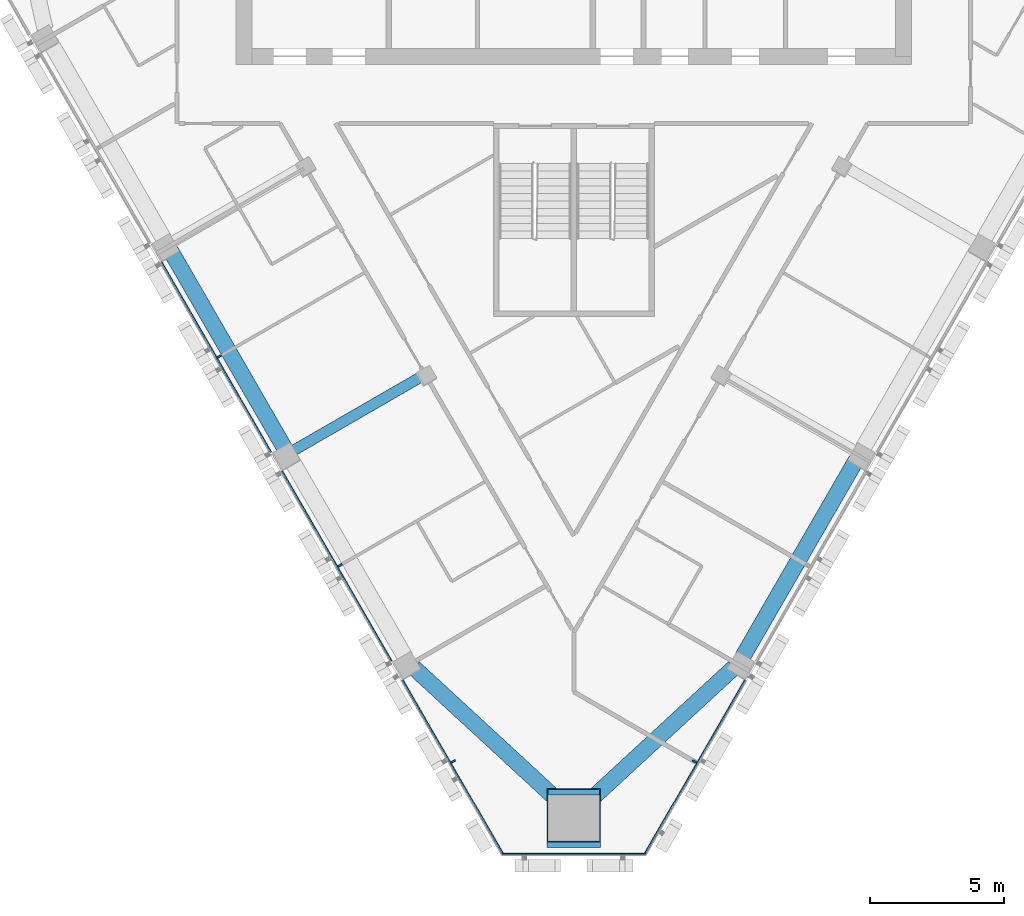
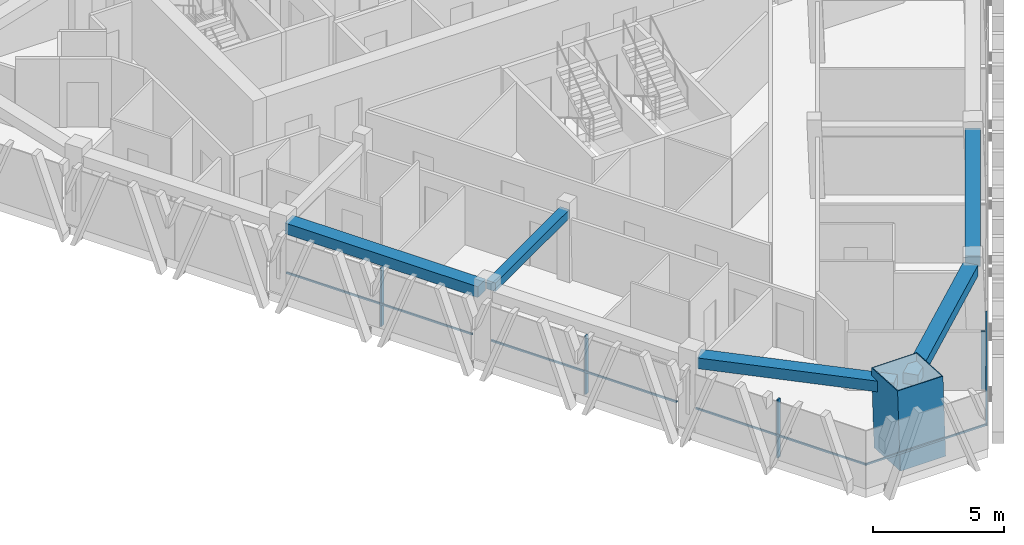
# One storey, part 2 of 14: 10 members, 5 beams, 3 elements without a shape of their own.
"""IFC4 building model written with IfcOpenShell, lengths in metres."""

from ifc_helpers import new_model, si_unit, direction, frame, origin, origin_2d, place, context, subcontext, project, spatial, rectangle, hollow_rectangle, extrude, material, layer, layer_set, material_profile, profile_set, type_object, element, aggregate, save


model = new_model("IFC4")

# Units and contexts
model_context = context("Model", 3, precision=1e-05, world=origin(), true_north=direction((0.0, 1.0)))
body_context = subcontext(model_context, "Body", "Model", "MODEL_VIEW")
ifc_project = project(units=[si_unit("LENGTHUNIT", "METRE"), si_unit("AREAUNIT", "SQUARE_METRE"), si_unit("VOLUMEUNIT", "CUBIC_METRE"), si_unit("PLANEANGLEUNIT", "RADIAN"), si_unit("MASSUNIT", "GRAM", prefix="KILO")], contexts=[model_context])

# Site, building, storey
site_placement = place(None, origin())
site = spatial("IfcSite", under=ifc_project, at=site_placement, CompositionType="ELEMENT")
building_placement = place(site_placement, origin())
building = spatial("IfcBuilding", under=site, at=building_placement, Name="Altiplano Prism Tower", CompositionType="ELEMENT")
storey_placement = place(building_placement, frame((0.0, 0.0, 242.800048828125)))
storey = spatial("IfcBuildingStorey", under=building, at=storey_placement, Name="L62", CompositionType="ELEMENT", Elevation=242.800048828125)

# Curtain wall, members
ifc_material_1 = material(Name="Aluminium and glass", Category="aluminium")
ifc_layer = layer(ifc_material_1, 0.280029296875)
ifc_layer_set = layer_set([ifc_layer], Name="Aluminium and glass")
curtain_wall_type = type_object("IfcCurtainWallType", Name="CW1 typical co-living unitised curtain wall", PredefinedType="NOTDEFINED", material=ifc_layer_set)
curtain_wall_1_placement = place(storey_placement, origin())
curtain_wall_1 = element("IfcCurtainWall", 1, at=curtain_wall_1_placement, inside=storey, type_object=curtain_wall_type, Name="CW1 curtain wall south-west face L62", PredefinedType="NOTDEFINED")
ifc_material_2 = material(Name="Aluminium", Category="aluminium")
ifc_material_profile_1 = material_profile(ifc_material_2, rectangle(XDim=0.179931640625, YDim=0.06494140625, at=origin_2d()), Name="CW1 mullion 65 x 180")
ifc_profile_set_1 = profile_set([ifc_material_profile_1], Name="Aluminium")
member_type_1 = type_object("IfcMemberType", Name="CW1 mullion 65 x 180", PredefinedType="MULLION", material=ifc_profile_set_1)
member_1_placement = place(storey_placement, frame((71.77294921875, 81.900146484375, 0.0), z_axis=(0.0, 0.0, 1.0), x_axis=(0.866025401638, 0.500000003718, 0.0)))
member_1 = element("IfcMember", 2, at=member_1_placement, type_object=member_type_1, Name="CW1 mullion", PredefinedType="MULLION", context=body_context, shape_type="SweptSolid", body=[
    extrude(rectangle(XDim=0.179931640625, YDim=0.06494140625, at=origin_2d()), origin(), (0.0, 0.0, 1.0), 2.699951171875),
])
member_2_placement = place(storey_placement, frame((76.27294921875, 74.10595703125, 0.0), z_axis=(0.0, 0.0, 1.0), x_axis=(0.866025401638, 0.500000003718, 0.0)))
member_2 = element("IfcMember", 3, at=member_2_placement, type_object=member_type_1, Name="CW1 mullion", PredefinedType="MULLION", context=body_context, shape_type="SweptSolid", body=[
    extrude(rectangle(XDim=0.179931640625, YDim=0.06494140625, at=origin_2d()), origin(), (0.0, 0.0, 1.0), 2.699951171875),
])
member_3_placement = place(storey_placement, frame((80.497314453125, 66.7890625, 0.0), z_axis=(0.0, 0.0, 1.0), x_axis=(0.866025401638, 0.500000003718, 0.0)))
member_3 = element("IfcMember", 4, at=member_3_placement, type_object=member_type_1, Name="CW1 mullion", PredefinedType="MULLION", context=body_context, shape_type="SweptSolid", body=[
    extrude(rectangle(XDim=0.179931640625, YDim=0.06494140625, at=origin_2d()), origin(), (0.0, 0.0, 1.0), 2.699951171875),
])

# Curtain wall, member
curtain_wall_2_placement = place(storey_placement, origin())
curtain_wall_2 = element("IfcCurtainWall", 5, at=curtain_wall_2_placement, inside=storey, type_object=curtain_wall_type, Name="CW1 curtain wall south-east face L62", PredefinedType="NOTDEFINED")
member_4_placement = place(storey_placement, frame((89.502685546875, 66.7890625, 0.0), z_axis=(0.0, 0.0, 1.0), x_axis=(-0.866025401638, 0.500000003718, 0.0)))
member_4 = element("IfcMember", 6, at=member_4_placement, type_object=member_type_1, Name="CW1 mullion", PredefinedType="MULLION", context=body_context, shape_type="SweptSolid", body=[
    extrude(rectangle(XDim=0.179931640625, YDim=0.06494140625, at=origin_2d()), origin(), (0.0, 0.0, 1.0), 2.699951171875),
])

# Member
ifc_material_profile_2 = material_profile(ifc_material_2, rectangle(XDim=0.06005859375, YDim=0.080078125, at=origin_2d()), Name="CW1 transom 80 x 60")
ifc_profile_set_2 = profile_set([ifc_material_profile_2], Name="Aluminium")
member_type_2 = type_object("IfcMemberType", Name="CW1 transom 80 x 60", PredefinedType="USERDEFINED", material=ifc_profile_set_2)
member_5_placement = place(storey_placement, frame((69.606689453125, 85.411865234375, 1.099853515625), z_axis=(0.500008722908, -0.866020367552, 0.0), x_axis=(0.866020367552, 0.500008722908, 0.0)))
member_5 = element("IfcMember", 7, at=member_5_placement, type_object=member_type_2, Name="CW1 transom", ObjectType="TRANSOM", PredefinedType="USERDEFINED", context=body_context, shape_type="SweptSolid", body=[
    extrude(rectangle(XDim=0.06005859375, YDim=0.080078125, at=origin_2d()), origin(), (0.0, 0.0, 1.0), 8.169677734375),
])

member_6_placement = place(storey_placement, frame((74.106689453125, 77.61767578125, 1.099853515625), z_axis=(0.500008722908, -0.866020367552, 0.0), x_axis=(0.866020367552, 0.500008722908, 0.0)))
member_6 = element("IfcMember", 8, at=member_6_placement, type_object=member_type_2, Name="CW1 transom", ObjectType="TRANSOM", PredefinedType="USERDEFINED", context=body_context, shape_type="SweptSolid", body=[
    extrude(rectangle(XDim=0.06005859375, YDim=0.080078125, at=origin_2d()), origin(), (0.0, 0.0, 1.0), 8.169677734375),
])

member_7_placement = place(storey_placement, frame((78.606689453125, 69.823486328125, 1.099853515625), z_axis=(0.500017465644, -0.866015319756, 0.0), x_axis=(0.866015319756, 0.500017465644, 0.0)))
member_7 = element("IfcMember", 9, at=member_7_placement, type_object=member_type_2, Name="CW1 transom", ObjectType="TRANSOM", PredefinedType="USERDEFINED", context=body_context, shape_type="SweptSolid", body=[
    extrude(rectangle(XDim=0.06005859375, YDim=0.080078125, at=origin_2d()), origin(), (0.0, 0.0, 1.0), 7.521728515625),
])

aggregate(curtain_wall_1, [member_1, member_5, member_2, member_6, member_3, member_7])

# Curtain wall, member
curtain_wall_3_placement = place(storey_placement, origin())
curtain_wall_3 = element("IfcCurtainWall", 10, at=curtain_wall_3_placement, inside=storey, type_object=curtain_wall_type, Name="CW1 curtain wall south chamfer L62", PredefinedType="NOTDEFINED")
member_8_placement = place(storey_placement, frame((82.306884765625, 63.3447265625, 1.099853515625), z_axis=(1.0, 0.0, 0.0), x_axis=(0.0, 1.0, 0.0)))
member_8 = element("IfcMember", 11, at=member_8_placement, type_object=member_type_2, Name="CW1 transom", ObjectType="TRANSOM", PredefinedType="USERDEFINED", context=body_context, shape_type="SweptSolid", body=[
    extrude(rectangle(XDim=0.06005859375, YDim=0.080078125, at=origin_2d()), origin(), (0.0, 0.0, 1.0), 5.38623046875),
])
aggregate(curtain_wall_3, [member_8])

# Member
member_9_placement = place(storey_placement, frame((87.63232421875, 63.3095703125, 1.099853515625), z_axis=(0.500017465644, 0.866015319756, 0.0), x_axis=(-0.866015319756, 0.500017465644, 0.0)))
member_9 = element("IfcMember", 12, at=member_9_placement, type_object=member_type_2, Name="CW1 transom", ObjectType="TRANSOM", PredefinedType="USERDEFINED", context=body_context, shape_type="SweptSolid", body=[
    extrude(rectangle(XDim=0.06005859375, YDim=0.080078125, at=origin_2d()), origin(), (0.0, 0.0, 1.0), 7.521728515625),
])

aggregate(curtain_wall_2, [member_4, member_9])

# Beams
ifc_material_3 = material(Name="Concrete C60/75", Category="concrete")
ifc_material_profile_3 = material_profile(ifc_material_3, rectangle(XDim=0.60009765625, YDim=0.5, at=origin_2d()), Name="Edge beam 600x500")
ifc_profile_set_3 = profile_set([ifc_material_profile_3], Name="Concrete C60/75")
beam_type_1 = type_object("IfcBeamType", Name="Edge beam 600x500", PredefinedType="SPANDREL", material=ifc_profile_set_3)
beam_1_placement = place(storey_placement, frame((69.95556640625, 85.844970703125, 2.949951171875), z_axis=(0.500011199594, -0.866018937599, 0.0), x_axis=(0.866018937599, 0.500011199594, 0.0)))
element("IfcBeam", 13, at=beam_1_placement, inside=storey, type_object=beam_type_1, Name="Edge beam P12-P13 L63", PredefinedType="SPANDREL", context=body_context, shape_type="SweptSolid", body=[
    extrude(rectangle(XDim=0.60009765625, YDim=0.5, at=origin_2d()), origin(), (0.0, 0.0, 1.0), 8.489990234375),
])
for number, where, z_axis, x_axis, name in (
    (14, (79.028564453125, 70.292236328125, 2.949951171875), (0.73510101065, -0.677957597599, 0.0), (0.677957597599, 0.73510101065, 0.0), "Edge beam P14-M1 L63"),
    (15, (85.330810546875, 65.090087890625, 2.949951171875), (0.73510101065, 0.677957597599, 0.0), (-0.677957597599, 0.73510101065, 0.0), "Edge beam M1-P21 L63"),
):
    element("IfcBeam", number, at=place(storey_placement, frame(where, z_axis=z_axis, x_axis=x_axis)), inside=storey, type_object=beam_type_1, Name=name, PredefinedType="SPANDREL", context=body_context, shape_type="SweptSolid", body=[
        extrude(rectangle(XDim=0.60009765625, YDim=0.5, at=origin_2d()), origin(), (0.0, 0.0, 1.0), 7.67333984375),
    ])
beam_2_placement = place(storey_placement, frame((91.29931640625, 70.697998046875, 2.949951171875), z_axis=(0.499998747907, 0.86602612668, 0.0), x_axis=(-0.86602612668, 0.499998747907, 0.0)))
element("IfcBeam", 16, at=beam_2_placement, inside=storey, type_object=beam_type_1, Name="Edge beam P21-P22 L63", PredefinedType="SPANDREL", context=body_context, shape_type="SweptSolid", body=[
    extrude(rectangle(XDim=0.60009765625, YDim=0.5, at=origin_2d()), origin(), (0.0, 0.0, 1.0), 8.490234375),
])

# Member
ifc_material_4 = material(Name="Steel S460", Category="steel")
ifc_material_profile_4 = material_profile(ifc_material_4, hollow_rectangle(XDim=2.0, YDim=2.0, WallThickness=0.0400390625, at=origin_2d()), Name="Mega column tube 2000")
ifc_profile_set_4 = profile_set([ifc_material_profile_4], Name="Steel S460")
member_type_3 = type_object("IfcMemberType", Name="Mega column tube 2000", PredefinedType="POST", material=ifc_profile_set_4)
member_10_placement = place(storey_placement, frame((85.0, 64.57470703125, 0.0), z_axis=(0.0, 0.058360852261, 0.998295552892), x_axis=(-1.0, 0.0, 0.0)))
element("IfcMember", 17, at=member_10_placement, inside=storey, type_object=member_type_3, Name="Mega column tube M1 L62", PredefinedType="POST", context=body_context, shape_type="SweptSolid", body=[
    extrude(hollow_rectangle(XDim=2.0, YDim=2.0, WallThickness=0.0400390625, at=origin_2d()), origin(), (0.0, 0.0, 1.0), 3.60595703125),
])

# Beam
ifc_material_profile_5 = material_profile(ifc_material_3, rectangle(XDim=0.39990234375, YDim=0.39990234375, at=origin_2d()), Name="Tie beam 400x400")
ifc_profile_set_5 = profile_set([ifc_material_profile_5], Name="Concrete C60/75")
beam_type_2 = type_object("IfcBeamType", Name="Tie beam 400x400", PredefinedType="BEAM", material=ifc_profile_set_5)
beam_3_placement = place(storey_placement, frame((79.433349609375, 81.218994140625, 3.0), z_axis=(-0.866026281646, -0.499998479497, 0.0), x_axis=(0.499998479497, -0.866026281646, 0.0)))
element("IfcBeam", 18, at=beam_3_placement, inside=storey, type_object=beam_type_2, Name="Tie beam I13 L63", PredefinedType="BEAM", context=body_context, shape_type="SweptSolid", body=[
    extrude(rectangle(XDim=0.39990234375, YDim=0.39990234375, at=origin_2d()), origin(), (0.0, 0.0, 1.0), 5.64013671875),
])

save(model, "model.ifc")
